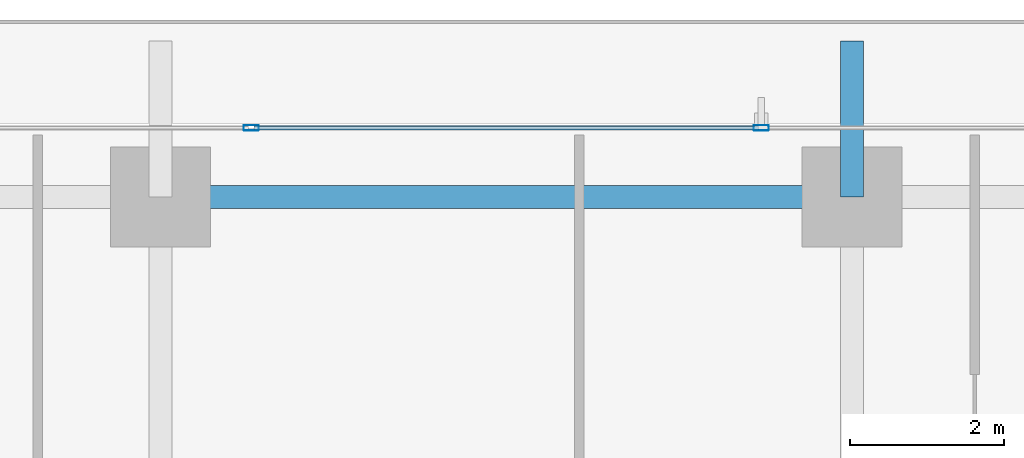
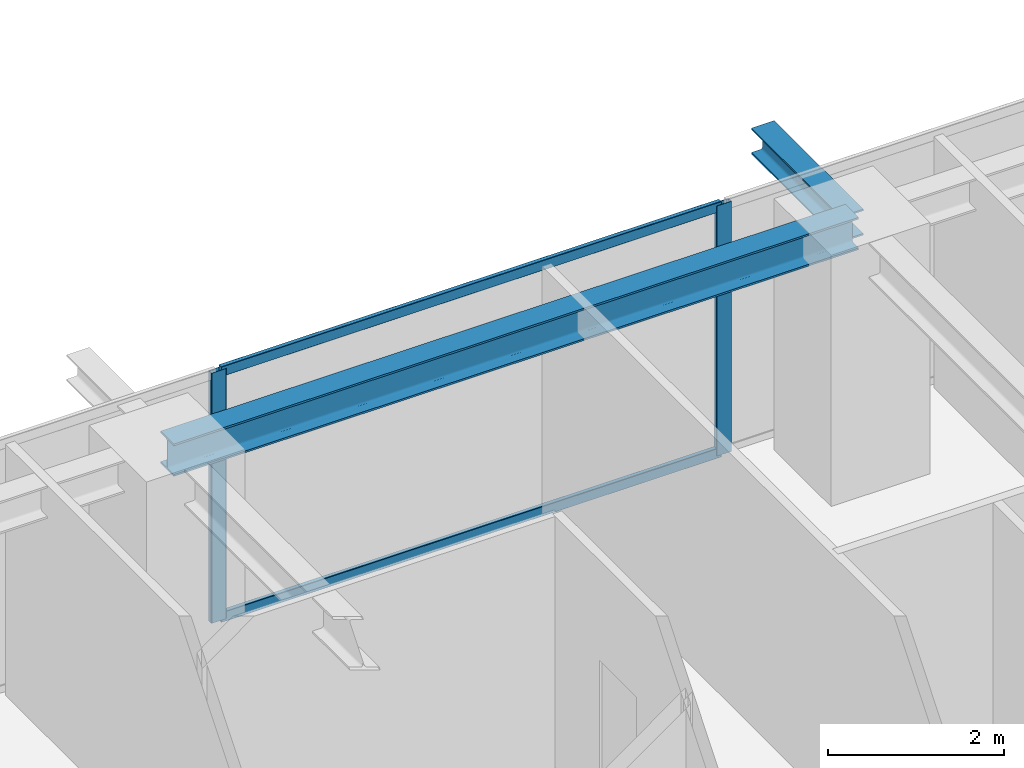
# One storey, part 18 of 35: 4 members, 2 beams, 1 element without a shape of its own.
"""IFC4 building model written with IfcOpenShell, lengths in metres."""

from ifc_helpers import new_model, si_unit, direction, frame, origin, origin_2d, place, context, subcontext, project, spatial, hollow_rectangle, i_section, extrude, source, transform, mapped, material, layer, layer_set, material_profile, profile_set, type_object, element, aggregate, save


model = new_model("IFC4")

# Units and contexts
model_context = context("Model", 3, precision=1e-05, world=origin(), true_north=direction((0.0, 1.0)))
body_context = subcontext(model_context, "Body", "Model", "MODEL_VIEW")
ifc_project = project(units=[si_unit("LENGTHUNIT", "METRE"), si_unit("AREAUNIT", "SQUARE_METRE"), si_unit("VOLUMEUNIT", "CUBIC_METRE"), si_unit("PLANEANGLEUNIT", "RADIAN"), si_unit("MASSUNIT", "GRAM", prefix="KILO")], contexts=[model_context])

# Site, building, storey
site_placement = place(None, origin())
site = spatial("IfcSite", under=ifc_project, at=site_placement, CompositionType="ELEMENT")
building_placement = place(site_placement, origin())
building = spatial("IfcBuilding", under=site, at=building_placement, Name="Serunith Strait Residences", CompositionType="ELEMENT")
storey_placement = place(building_placement, frame((0.0, 0.0, 157.64990234375)))
storey = spatial("IfcBuildingStorey", under=building, at=storey_placement, Name="L39", CompositionType="ELEMENT", Elevation=157.64990234375)

# Beams
ifc_material_1 = material(Name="Steel S355J2", Category="steel")
ifc_material_profile_1 = material_profile(ifc_material_1, i_section(OverallWidth=0.300048828125, OverallDepth=0.449951171875, WebThickness=0.013916015625, FlangeThickness=0.02587890625, FilletRadius=0.027099609375, at=origin_2d()), Name="HEB 450")
ifc_profile_set_1 = profile_set([ifc_material_profile_1], Name="Steel S355J2")
beam_type_1 = type_object("IfcBeamType", Name="BM-HEB450", PredefinedType="BEAM", material=ifc_profile_set_1)
shared_shape_1 = source(origin(), body_context, "Body", "SweptSolid", [
    extrude(i_section(OverallWidth=0.300048828125, OverallDepth=0.449951171875, WebThickness=0.013916015625, FlangeThickness=0.02587890625, FilletRadius=0.027099609375, at=origin_2d()), origin(), (0.0, 0.0, 1.0), 9.0),
])
beam_1_placement = place(storey_placement, frame((36.89990234375, 48.10009765625, 3.26220703125), z_axis=(-1.0, 0.0, 0.0), x_axis=(0.0, -1.0, 0.0)))
element("IfcBeam", 1, at=beam_1_placement, inside=storey, type_object=beam_type_1, Name="L39 Perimeter Ring Beam 10", PredefinedType="BEAM", context=body_context, shape_type="MappedRepresentation", body=[
    mapped(shared_shape_1, transform((0.0, 0.0, 0.0), scale=1.0)),
])
ifc_material_profile_2 = material_profile(ifc_material_1, i_section(OverallWidth=0.300048828125, OverallDepth=0.360107421875, WebThickness=0.012451171875, FlangeThickness=0.0224609375, FilletRadius=0.027099609375, at=origin_2d()), Name="HEB 360")
ifc_profile_set_2 = profile_set([ifc_material_profile_2], Name="Steel S355J2")
beam_type_2 = type_object("IfcBeamType", Name="BM-HEB360", PredefinedType="BEAM", material=ifc_profile_set_2)
shared_shape_2 = source(origin(), body_context, "Body", "SweptSolid", [
    extrude(i_section(OverallWidth=0.300048828125, OverallDepth=0.360107421875, WebThickness=0.012451171875, FlangeThickness=0.0224609375, FilletRadius=0.027099609375, at=origin_2d()), origin(), (0.0, 0.0, 1.0), 2.02978515625),
])
beam_2_placement = place(storey_placement, frame((36.89990234375, 48.10009765625, 3.277099609375), z_axis=(0.0, 1.0, 0.0), x_axis=(-1.0, 0.0, 0.0)))
element("IfcBeam", 2, at=beam_2_placement, inside=storey, type_object=beam_type_2, Name="L40 Cantilevered Balcony Rib TC-N3", PredefinedType="BEAM", context=body_context, shape_type="MappedRepresentation", body=[
    mapped(shared_shape_2, transform((0.0, 0.0, 0.0), scale=1.0)),
])

# Curtain wall, members
ifc_material_2 = material(Name="Pale-Champagne Anodised Aluminium", Category="aluminium")
ifc_layer = layer(ifc_material_2, 0.199951171875, Name="Pale-Champagne Anodised Aluminium")
ifc_layer_set = layer_set([ifc_layer], Name="Pale-Champagne Anodised Aluminium")
curtain_wall_type = type_object("IfcCurtainWallType", Name="CW-SYS2", PredefinedType="NOTDEFINED", material=ifc_layer_set)
curtain_wall_placement = place(storey_placement, origin())
curtain_wall = element("IfcCurtainWall", 3, at=curtain_wall_placement, inside=storey, type_object=curtain_wall_type, Name="L39 N Unitised Fritted Curtain Wall", PredefinedType="NOTDEFINED")
ifc_material_profile_3 = material_profile(ifc_material_2, hollow_rectangle(XDim=0.070068359375, YDim=0.199951171875, WallThickness=0.00390625, InnerFilletRadius=0.006103515625, OuterFilletRadius=0.010009765625, at=origin_2d()), Name="ALU 200x70x4")
ifc_profile_set_3 = profile_set([ifc_material_profile_3], Name="Pale-Champagne Anodised Aluminium")
member_type_1 = type_object("IfcMemberType", Name="CW-SYS2-MULL", PredefinedType="MULLION", material=ifc_profile_set_3)
shared_shape_3 = source(origin(), body_context, "Body", "SweptSolid", [
    extrude(hollow_rectangle(XDim=0.070068359375, YDim=0.199951171875, WallThickness=0.00390625, InnerFilletRadius=0.006103515625, OuterFilletRadius=0.010009765625, at=origin_2d()), origin(), (0.0, 0.0, 1.0), 3.47509765625),
])
member_1_placement = place(storey_placement, frame((35.719970703125, 49.0, 0.0), z_axis=(0.0, 0.0, 1.0), x_axis=(0.0, -1.0, 0.0)))
member_1 = element("IfcMember", 4, at=member_1_placement, type_object=member_type_1, Name="CW-2 mullion 3", PredefinedType="MULLION", context=body_context, shape_type="MappedRepresentation", body=[
    mapped(shared_shape_3, transform((0.0, 0.0, 0.0), scale=1.0)),
])
member_2_placement = place(storey_placement, frame((29.080078125, 49.0, 0.0), z_axis=(0.0, 0.0, 1.0), x_axis=(0.0, -1.0, 0.0)))
member_2 = element("IfcMember", 5, at=member_2_placement, type_object=member_type_1, Name="CW-2 mullion 4", PredefinedType="MULLION", context=body_context, shape_type="MappedRepresentation", body=[
    mapped(shared_shape_3, transform((0.0, 0.0, 0.0), scale=1.0)),
])
ifc_material_profile_4 = material_profile(ifc_material_2, hollow_rectangle(XDim=0.06005859375, YDim=0.139892578125, WallThickness=0.00341796875, InnerFilletRadius=0.00537109375, OuterFilletRadius=0.0087890625, at=origin_2d()), Name="ALU 140x60x3.5")
ifc_profile_set_4 = profile_set([ifc_material_profile_4], Name="Pale-Champagne Anodised Aluminium")
member_type_2 = type_object("IfcMemberType", Name="CW-SYS2-TRAN", PredefinedType="USERDEFINED", material=ifc_profile_set_4)
shared_shape_4 = source(origin(), body_context, "Body", "SweptSolid", [
    extrude(hollow_rectangle(XDim=0.06005859375, YDim=0.139892578125, WallThickness=0.00341796875, InnerFilletRadius=0.00537109375, OuterFilletRadius=0.0087890625, at=origin_2d()), origin(), (0.0, 0.0, 1.0), 6.570068359375),
])
member_3_placement = place(storey_placement, frame((35.68505859375, 49.0, 0.030029296875), z_axis=(-1.0, 0.0, 0.0), x_axis=(0.0, -1.0, 0.0)))
member_3 = element("IfcMember", 6, at=member_3_placement, type_object=member_type_2, Name="CW-2 transom 3.1", ObjectType="TRANSOM", PredefinedType="USERDEFINED", context=body_context, shape_type="MappedRepresentation", body=[
    mapped(shared_shape_4, transform((0.0, 0.0, 0.0), scale=1.0)),
])
member_4_placement = place(storey_placement, frame((35.68505859375, 49.0, 3.445068359375), z_axis=(-1.0, 0.0, 0.0), x_axis=(0.0, -1.0, 0.0)))
member_4 = element("IfcMember", 7, at=member_4_placement, type_object=member_type_2, Name="CW-2 transom 3.2", ObjectType="TRANSOM", PredefinedType="USERDEFINED", context=body_context, shape_type="MappedRepresentation", body=[
    mapped(shared_shape_4, transform((0.0, 0.0, 0.0), scale=1.0)),
])
aggregate(curtain_wall, [member_1, member_2, member_3, member_4])

save(model, "model.ifc")
